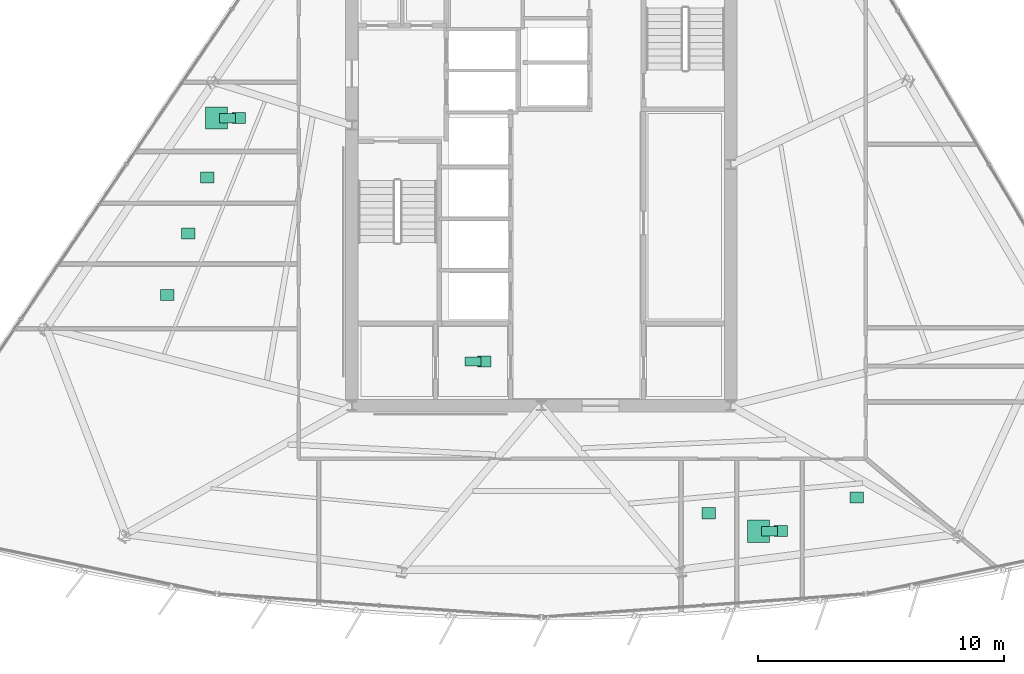
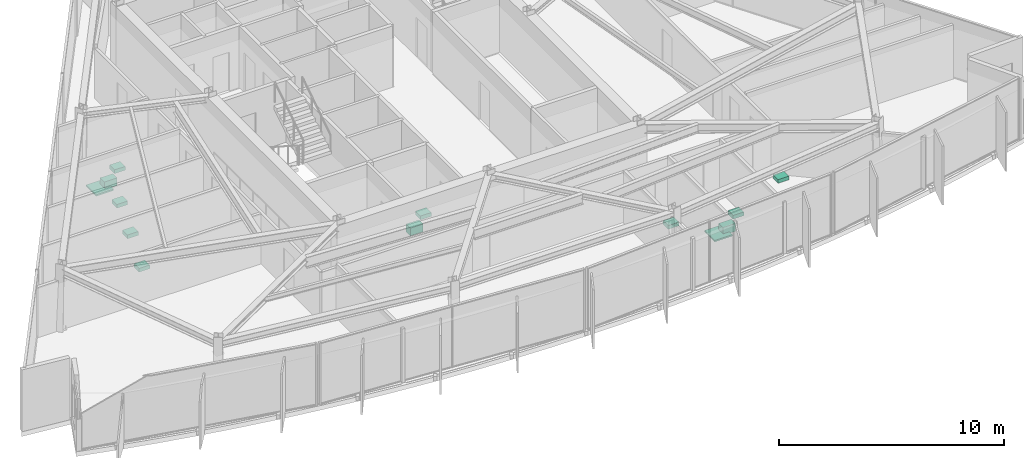
# One storey, part 15 of 15: 13 sanitary terminals.
"""IFC4 building model written with IfcOpenShell, lengths in metres."""

import ifcopenshell
import ifcopenshell.guid

model = None  # the IFC model being written
_history = None  # IfcOwnerHistory: only IFC2X3 demands one
_inside = {}  # id of a spatial element -> (the spatial element, [elements in it])
_under = {}  # id of a project, library or spatial element -> (it, [spatial elements below it])
_declared = {}  # id of a project -> (the project, [libraries it declares])
_typed = {}  # id of a type object -> (the type object, [elements of that type])
_made_of = {}  # id of a material, layer set ... -> (it, [elements and type objects made of it])


def new_model(schema):
    """Start an empty IFC model of exactly this schema.

    Asked for "IFC4X3", IfcOpenShell would pick the latest addendum, in which some entities
    have other attributes; the version numbers below select the first issue.
    IFC2X3 requires an IfcOwnerHistory on every rooted entity: one is made here for all.
    """
    global model, _history
    if schema == "IFC4X3":
        model = ifcopenshell.file(schema_version=(4, 3, 0, 0))
    else:
        model = ifcopenshell.file(schema=schema)
    _inside.clear()
    _under.clear()
    _declared.clear()
    _typed.clear()
    _made_of.clear()
    _history = None
    if model.schema == "IFC2X3":
        org = make("IfcOrganization", Name="unknown")
        user = make(
            "IfcPersonAndOrganization",
            ThePerson=make("IfcPerson", FamilyName="unknown"),
            TheOrganization=org,
        )
        app = make(
            "IfcApplication",
            ApplicationDeveloper=org,
            Version="unknown",
            ApplicationFullName="unknown",
            ApplicationIdentifier="unknown",
        )
        _history = make(
            "IfcOwnerHistory",
            OwningUser=user,
            OwningApplication=app,
            ChangeAction="ADDED",
            CreationDate=0,
        )
    return model


def make(cls, **values):
    """One entity of the class cls with the attributes given. An attribute that is None is left unset."""
    return model.create_entity(
        cls, **{name: value for name, value in values.items() if value is not None}
    )


def rooted(cls, **values):
    """An entity with a GlobalId (a new one), such as an element, a storey or a relation."""
    return make(cls, GlobalId=ifcopenshell.guid.new(), OwnerHistory=_history, **values)


def si_unit(unit_type, name, prefix=None):
    """IfcSIUnit, for example si_unit("LENGTHUNIT", "METRE", prefix="MILLI")."""
    return make("IfcSIUnit", UnitType=unit_type, Prefix=prefix, Name=name)


def assignment(units):
    """IfcUnitAssignment: the units of a project."""
    return None if units is None else make("IfcUnitAssignment", Units=units)


def point(xyz):
    """IfcCartesianPoint."""
    return None if xyz is None else make("IfcCartesianPoint", Coordinates=xyz)


def direction(xyz):
    """IfcDirection."""
    return None if xyz is None else make("IfcDirection", DirectionRatios=xyz)


def frame(location, z_axis=None, x_axis=None):
    """IfcAxis2Placement3D, a coordinate frame: its origin and axes. An axis left out is left unset."""
    return make(
        "IfcAxis2Placement3D",
        Location=point(location),
        Axis=direction(z_axis),
        RefDirection=direction(x_axis),
    )


def frame_2d(location, x_axis=None):
    """IfcAxis2Placement2D, a coordinate frame in the plane: its origin and x axis."""
    return make(
        "IfcAxis2Placement2D", Location=point(location), RefDirection=direction(x_axis)
    )


def origin():
    """The frame at (0, 0, 0) with its axes left unset."""
    return frame((0.0, 0.0, 0.0))


def origin_2d():
    """The frame at (0, 0) in the plane with its x axis left unset."""
    return frame_2d((0.0, 0.0))


def place(relative_to, where):
    """IfcLocalPlacement: puts the frame where relative to a parent placement (None: the world)."""
    return make(
        "IfcLocalPlacement", PlacementRelTo=relative_to, RelativePlacement=where
    )


def context(
    kind, dimensions, precision=None, world=None, true_north=None, identifier=None
):
    """IfcGeometricRepresentationContext, for example the 3D "Model" context."""
    return make(
        "IfcGeometricRepresentationContext",
        ContextIdentifier=identifier,
        ContextType=kind,
        CoordinateSpaceDimension=dimensions,
        Precision=precision,
        WorldCoordinateSystem=world,
        TrueNorth=true_north,
    )


def subcontext(parent, identifier, kind, view, scale=None):
    """IfcGeometricRepresentationSubContext, for example "Body" below "Model"."""
    return make(
        "IfcGeometricRepresentationSubContext",
        ContextIdentifier=identifier,
        ContextType=kind,
        ParentContext=parent,
        TargetScale=scale,
        TargetView=view,
    )


def project(units=None, contexts=None):
    """IfcProject with its units and contexts."""
    return rooted(
        "IfcProject",
        Name="project",
        RepresentationContexts=contexts,
        UnitsInContext=assignment(units),
    )


def spatial(cls, under=None, at=None, **own):
    """A site, building, storey or space (cls), placed at a placement, below another one or the project."""
    s = rooted(cls, ObjectPlacement=at, **own)
    if under is not None:
        _under.setdefault(under.id(), (under, []))[1].append(s)
    return s


def profile(cls, at=None, kind="AREA", **sizes):
    """A parametric profile (cls). Its sizes go by their IFC names, for example OverallWidth=200.0."""
    return make(cls, ProfileType=kind, Position=at, **sizes)


def rectangle(**sizes):
    """IfcRectangleProfileDef."""
    return profile("IfcRectangleProfileDef", **sizes)


def extrude(swept, where, along, depth):
    """IfcExtrudedAreaSolid: the profile swept, set in the frame where, extruded along a direction by depth."""
    return make(
        "IfcExtrudedAreaSolid",
        SweptArea=swept,
        Position=where,
        ExtrudedDirection=direction(along),
        Depth=depth,
    )


def shape(context_of_items, identifier, shape_type, items):
    """IfcShapeRepresentation: the items that make up one representation, for example the "Body"."""
    return make(
        "IfcShapeRepresentation",
        ContextOfItems=context_of_items,
        RepresentationIdentifier=identifier,
        RepresentationType=shape_type,
        Items=items,
    )


def material(Name=None, Category=None):
    """IfcMaterial."""
    return make("IfcMaterial", Name=Name, Category=Category)


def made_of(thing, what):
    """Note that an element or type object is made of a material, layer set ...; save() writes the relation."""
    if what is not None:
        _made_of.setdefault(what.id(), (what, []))[1].append(thing)
    return thing


def type_object(cls, material=None, **own):
    """A type object (cls), such as IfcWallType, which elements share."""
    return made_of(rooted(cls, **own), material)


def element(
    cls,
    number,
    at=None,
    inside=None,
    cuts=None,
    type_object=None,
    material=None,
    context=None,
    identifier="Body",
    shape_type=None,
    held_by="IfcProductDefinitionShape",
    body=None,
    shapes=None,
    **own,
):
    """One element of the class cls, such as IfcWall. Its Tag is "e" and its number.

    at: its placement. inside: the storey or other place that contains it. cuts: it is an
    opening in that element (IfcRelVoidsElement). A single representation is given by context,
    identifier, shape_type and body (its items); several are given by shapes. held_by: the class
    of the entity that holds the representations. save() writes the other relations.
    """
    e = rooted(cls, Tag="e%d" % number, ObjectPlacement=at, **own)
    if body is not None:
        shapes = [shape(context, identifier, shape_type, body)]
    if shapes is not None:
        e.Representation = make(held_by, Representations=shapes)
    if inside is not None:
        _inside.setdefault(inside.id(), (inside, []))[1].append(e)
    if cuts is not None:
        rooted(
            "IfcRelVoidsElement", RelatingBuildingElement=cuts, RelatedOpeningElement=e
        )
    if type_object is not None:
        _typed.setdefault(type_object.id(), (type_object, []))[1].append(e)
    return made_of(e, material)


def aggregate(whole, parts):
    """IfcRelAggregates: a whole, such as a stair, and the parts it consists of."""
    return rooted("IfcRelAggregates", RelatingObject=whole, RelatedObjects=parts)


def save(model, path):
    """Write the relations noted so far, then the file.

    IfcRelAggregates (storeys below a building ...), IfcRelContainedInSpatialStructure (elements
    in a storey), IfcRelDefinesByType, IfcRelAssociatesMaterial and IfcRelDeclares: one each for
    every whole, place, type object, material and project.
    """
    for whole, parts in _under.values():
        aggregate(whole, parts)
    for where, things in _inside.values():
        rooted(
            "IfcRelContainedInSpatialStructure",
            RelatedElements=things,
            RelatingStructure=where,
        )
    for kind, things in _typed.values():
        rooted("IfcRelDefinesByType", RelatedObjects=things, RelatingType=kind)
    for what, things in _made_of.values():
        rooted("IfcRelAssociatesMaterial", RelatedObjects=things, RelatingMaterial=what)
    for by, libraries in _declared.values():
        rooted("IfcRelDeclares", RelatingContext=by, RelatedDefinitions=libraries)
    model.write(path)


model = new_model("IFC4")

# Units and contexts
model_context = context("Model", 3, precision=1e-05, world=origin(), true_north=direction((0.0, 1.0)))
body_context = subcontext(model_context, "Body", "Model", "MODEL_VIEW")
ifc_project = project(units=[si_unit("LENGTHUNIT", "METRE"), si_unit("AREAUNIT", "SQUARE_METRE"), si_unit("VOLUMEUNIT", "CUBIC_METRE"), si_unit("PLANEANGLEUNIT", "RADIAN"), si_unit("MASSUNIT", "GRAM", prefix="KILO")], contexts=[model_context])

# Site, building, storey
site_placement = place(None, origin())
site = spatial("IfcSite", under=ifc_project, at=site_placement, CompositionType="ELEMENT")
building_placement = place(site_placement, origin())
building = spatial("IfcBuilding", under=site, at=building_placement, Name="Savorim Split Tower", CompositionType="ELEMENT")
storey_placement = place(building_placement, frame((0.0, 0.0, 198.300048828125)))
storey = spatial("IfcBuildingStorey", under=building, at=storey_placement, Name="L52", CompositionType="ELEMENT", Elevation=198.300048828125)

# Sanitary terminals
ifc_material = material(Name="Vitreous China Sanitaryware")
sanitary_terminal_type_1 = type_object("IfcSanitaryTerminalType", Name="SAN-SHW-900", PredefinedType="SHOWER", material=ifc_material)
for number, where, z_axis, x_axis, name in (
    (1, (8.821044921875, -14.4990234375, 0.0), (0.0, 0.0, 1.0), (1.0, 0.0, 0.0), "L52 Shared Bathroom Shower"),
    (2, (-13.2041015625, 2.288818359375, 0.0), (0.0, 0.0, 1.0), (1.0, 0.0, 0.0), "L52 Shared Bathroom Shower"),
):
    element("IfcSanitaryTerminal", number, at=place(storey_placement, frame(where, z_axis=z_axis, x_axis=x_axis)), inside=storey, type_object=sanitary_terminal_type_1, Name=name, PredefinedType="SHOWER", context=body_context, shape_type="SweptSolid", body=[
        extrude(rectangle(XDim=0.89990234375, YDim=0.89990234375, at=origin_2d()), origin(), (0.0, 0.0, 1.0), 0.080078125),
    ])
sanitary_terminal_type_2 = type_object("IfcSanitaryTerminalType", Name="SAN-WC-PAN", PredefinedType="TOILETPAN", material=ifc_material)
for number, where, z_axis, x_axis, name in (
    (3, (-2.77490234375, -7.60009765625, 0.0), (0.0, 0.0, 1.0), (1.0, 0.0, 0.0), "L52 Accessible WC WC Pan"),
    (4, (9.27099609375, -14.4990234375, 0.0), (0.0, 0.0, 1.0), (1.0, 0.0, 0.0), "L52 Shared Bathroom WC Pan"),
    (5, (-12.75390625, 2.288818359375, 0.0), (0.0, 0.0, 1.0), (1.0, 0.0, 0.0), "L52 Shared Bathroom WC Pan"),
):
    element("IfcSanitaryTerminal", number, at=place(storey_placement, frame(where, z_axis=z_axis, x_axis=x_axis)), inside=storey, type_object=sanitary_terminal_type_2, Name=name, PredefinedType="TOILETPAN", context=body_context, shape_type="SweptSolid", body=[
        extrude(rectangle(XDim=0.64990234375, YDim=0.3798828125, at=origin_2d()), origin(), (0.0, 0.0, 1.0), 0.419921875),
    ])
sanitary_terminal_type_3 = type_object("IfcSanitaryTerminalType", Name="SAN-WHB-550", PredefinedType="WASHHANDBASIN", material=ifc_material)
for number, where, z_axis, x_axis, name in (
    (6, (-2.324951171875, -7.60009765625, 0.72021484375), (0.0, 0.0, 1.0), (1.0, 0.0, 0.0), "L52 Accessible WC Washhand Basin"),
    (7, (-13.5732421875, -0.119384765625, 0.75), (0.0, 0.0, 1.0), (1.0, 0.0, 0.0), "L52 Shared Kitchen Utility Sink"),
    (8, (-14.3505859375, -2.4052734375, 0.75), (0.0, 0.0, 1.0), (1.0, 0.0, 0.0), "L52 Community Laundry Room Utility Sink"),
    (9, (-15.19970703125, -4.901123046875, 0.75), (0.0, 0.0, 1.0), (1.0, 0.0, 0.0), "L52 Shared Kitchen Utility Sink"),
    (10, (6.808349609375, -13.770751953125, 0.75), (0.0, 0.0, 1.0), (1.0, 0.0, 0.0), "L52 Shared Kitchen Utility Sink"),
    (11, (9.720947265625, -14.4990234375, 0.72021484375), (0.0, 0.0, 1.0), (1.0, 0.0, 0.0), "L52 Shared Bathroom Washhand Basin"),
    (12, (12.814697265625, -13.13525390625, 0.75), (0.0, 0.0, 1.0), (1.0, 0.0, 0.0), "L52 Shared Kitchen Utility Sink"),
    (13, (-12.303955078125, 2.288818359375, 0.72021484375), (0.0, 0.0, 1.0), (1.0, 0.0, 0.0), "L52 Shared Bathroom Washhand Basin"),
):
    element("IfcSanitaryTerminal", number, at=place(storey_placement, frame(where, z_axis=z_axis, x_axis=x_axis)), inside=storey, type_object=sanitary_terminal_type_3, Name=name, PredefinedType="WASHHANDBASIN", context=body_context, shape_type="SweptSolid", body=[
        extrude(rectangle(XDim=0.550048828125, YDim=0.449951171875, at=origin_2d()), origin(), (0.0, 0.0, 1.0), 0.199951171875),
    ])

save(model, "model.ifc")
